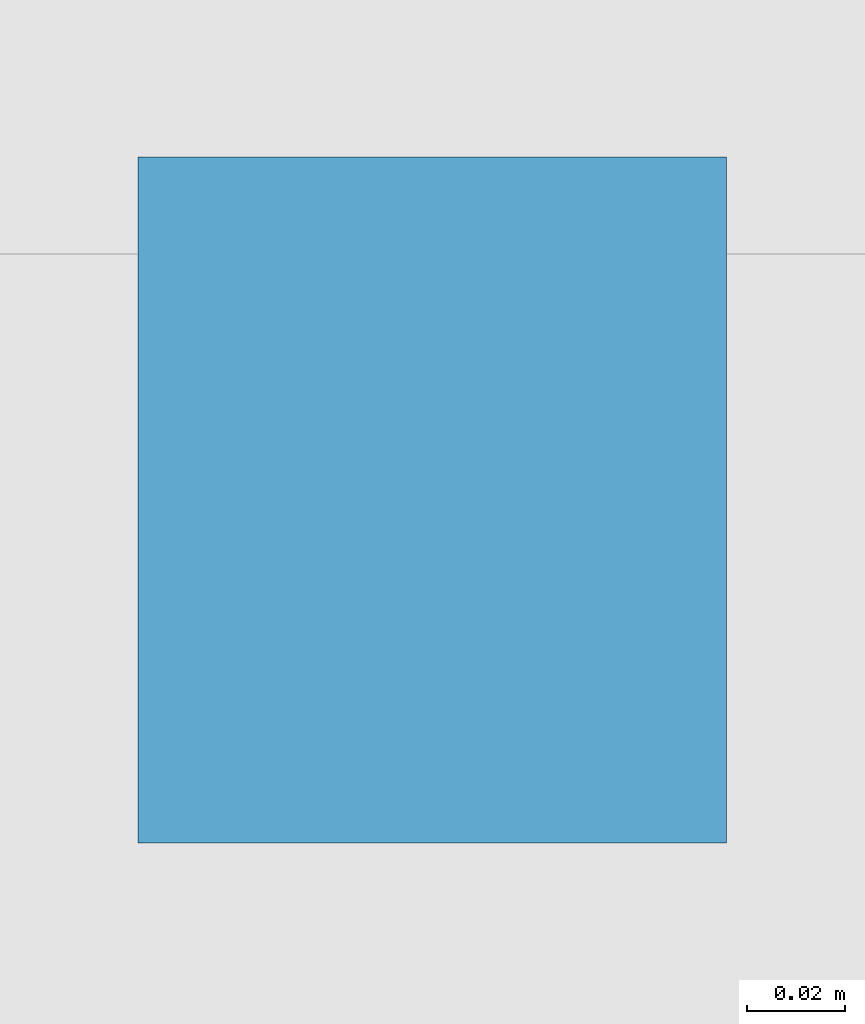
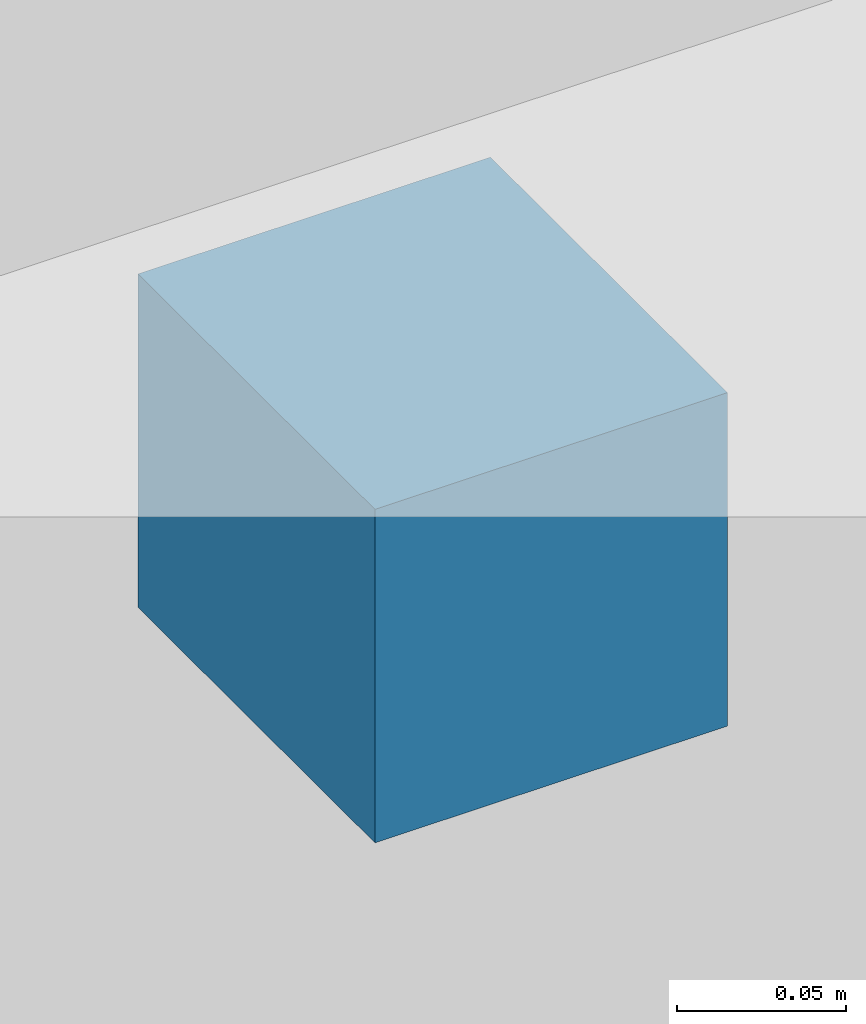
# One storey, part 42 of 48: 1 discrete accessory.
"""IFC4 building model written with IfcOpenShell, lengths in metres."""

from ifc_helpers import new_model, si_unit, direction, frame, origin, origin_2d, place, context, subcontext, project, spatial, rectangle, extrude, material, type_object, element, save


model = new_model("IFC4")

# Units and contexts
model_context = context("Model", 3, precision=1e-05, world=origin(), true_north=direction((0.0, 1.0)))
body_context = subcontext(model_context, "Body", "Model", "MODEL_VIEW")
ifc_project = project(units=[si_unit("LENGTHUNIT", "METRE"), si_unit("AREAUNIT", "SQUARE_METRE"), si_unit("VOLUMEUNIT", "CUBIC_METRE"), si_unit("PLANEANGLEUNIT", "RADIAN"), si_unit("MASSUNIT", "GRAM", prefix="KILO"), si_unit("POWERUNIT", "WATT"), si_unit("THERMODYNAMICTEMPERATUREUNIT", "KELVIN")], contexts=[model_context])

# Site, building, storey
site_placement = place(None, origin())
site = spatial("IfcSite", under=ifc_project, at=site_placement, CompositionType="ELEMENT")
building_placement = place(site_placement, origin())
building = spatial("IfcBuilding", under=site, at=building_placement, Name="Kelmbourne Parkland Aquatics Centre", CompositionType="ELEMENT")
storey_placement = place(building_placement, frame((0.0, 0.0, 14.699951171875)))
storey = spatial("IfcBuildingStorey", under=building, at=storey_placement, Name="L03", CompositionType="ELEMENT", Elevation=14.699951171875)

# Discrete accessory
ifc_material = material(Name="Hot-dip galvanised structural steel AS/NZS 4680", Category="steel")
discrete_accessory_type = type_object("IfcDiscreteAccessoryType", Name="ACC-BRK-1", PredefinedType="BRACKET", material=ifc_material)
discrete_accessory_placement = place(storey_placement, frame((37.847900390625, 0.5849609375, 2.340087890625), z_axis=(0.0, 0.0, 1.0), x_axis=(1.0, 0.0, 0.0)))
element("IfcDiscreteAccessory", 1, at=discrete_accessory_placement, inside=storey, type_object=discrete_accessory_type, Name="Galvanised sunshade fixing bracket 186", PredefinedType="BRACKET", context=body_context, shape_type="SweptSolid", body=[
    extrude(rectangle(XDim=0.1201171875, YDim=0.139892578125, at=origin_2d()), origin(), (0.0, 0.0, 1.0), 0.1201171875),
])

save(model, "model.ifc")
